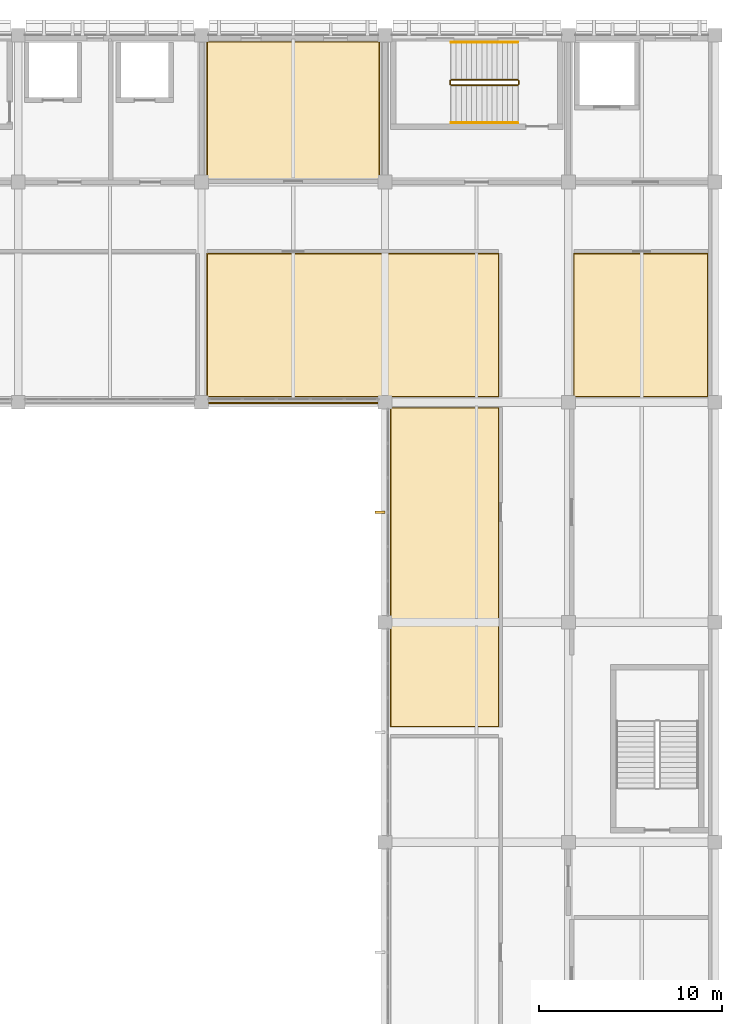
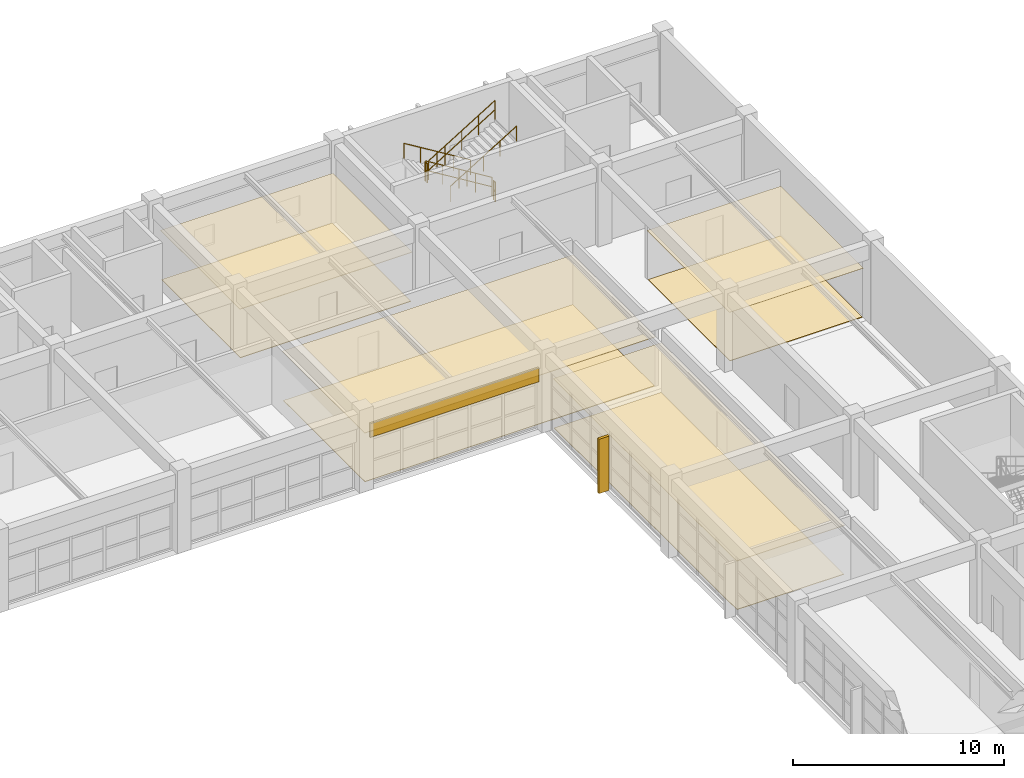
# One storey, part 108 of 109: 9 coverings, 6 railings, 1 shading device.
"""IFC4 building model written with IfcOpenShell, lengths in metres."""

from ifc_helpers import new_model, si_unit, direction, frame, frame_2d, origin, origin_2d, place, context, subcontext, project, spatial, polyline, rectangle, circle, outline, extrude, material, layer, layer_set, type_object, element, save


model = new_model("IFC4")

# Units and contexts
model_context = context("Model", 3, precision=1e-05, world=origin(), true_north=direction((0.0, 1.0)))
body_context = subcontext(model_context, "Body", "Model", "MODEL_VIEW")
ifc_project = project(units=[si_unit("LENGTHUNIT", "METRE"), si_unit("AREAUNIT", "SQUARE_METRE"), si_unit("VOLUMEUNIT", "CUBIC_METRE"), si_unit("PLANEANGLEUNIT", "RADIAN"), si_unit("MASSUNIT", "GRAM", prefix="KILO")], contexts=[model_context])

# Site, building, storey
site_placement = place(None, origin())
site = spatial("IfcSite", under=ifc_project, at=site_placement, CompositionType="ELEMENT")
building_placement = place(site_placement, origin())
building = spatial("IfcBuilding", under=site, at=building_placement, Name="Kivolera Central Railway Station", CompositionType="ELEMENT")
storey_placement = place(building_placement, frame((0.0, 0.0, 9.60009765625)))
storey = spatial("IfcBuildingStorey", under=building, at=storey_placement, Name="L02", CompositionType="ELEMENT", Elevation=9.60009765625)

# Shading device
ifc_material_1 = material(Name="Precast concrete C40/50", Category="concrete")
shading_device_type = type_object("IfcShadingDeviceType", Name="BS-FIN-CRT", PredefinedType="USERDEFINED", material=ifc_material_1)
shading_device_placement = place(storey_placement, frame((177.735107421875, 108.0, 0.0), z_axis=(0.0, 0.0, 1.0), x_axis=(1.0, 0.0, 0.0)))
element("IfcShadingDevice", 1, at=shading_device_placement, inside=storey, type_object=shading_device_type, Name="L02 Courtyard East Solar Brise-Soleil Fin J", ObjectType="FIN", PredefinedType="USERDEFINED", context=body_context, shape_type="SweptSolid", body=[
    extrude(rectangle(XDim=0.550048828125, YDim=0.139892578125, at=origin_2d()), origin(), (0.0, 0.0, 1.0), 3.14990234375),
])

# Coverings
ifc_material_2 = material(Name="Mineral fibre acoustic tile")
ifc_layer_1 = layer(ifc_material_2, 0.02001953125, Name="Mineral fibre acoustic tile")
ifc_layer_set_1 = layer_set([ifc_layer_1], Name="Mineral fibre acoustic tile")
covering_type_1 = type_object("IfcCoveringType", Name="COV-CEIL-20", PredefinedType="CEILING", material=ifc_layer_set_1)
covering_1_placement = place(storey_placement, frame((0.0, 0.0, 2.849853515625)))
element("IfcCovering", 2, at=covering_1_placement, inside=storey, type_object=covering_type_1, Name="L02 Catering Provisioning Office Acoustic Ceiling", PredefinedType="CEILING", context=body_context, shape_type="SweptSolid", body=[
    extrude(outline(polyline([(188.280029296875, 114.280029296875), (195.6201171875, 114.280029296875), (195.6201171875, 122.1201171875), (188.280029296875, 122.1201171875), (188.280029296875, 114.280029296875)])), origin(), (0.0, 0.0, 1.0), 0.02001953125),
])
ifc_layer_2 = layer(ifc_material_2, 0.030029296875, Name="Mineral fibre acoustic tile")
ifc_layer_set_2 = layer_set([ifc_layer_2], Name="Mineral fibre acoustic tile")
covering_type_2 = type_object("IfcCoveringType", Name="COV-CEIL-30", PredefinedType="CEILING", material=ifc_layer_set_2)
covering_2_placement = place(storey_placement, frame((0.0, 0.0, 2.849853515625)))
element("IfcCovering", 3, at=covering_2_placement, inside=storey, type_object=covering_type_2, Name="L02 Station Duty Manager Control Office Acoustic Ceiling", PredefinedType="CEILING", context=body_context, shape_type="SweptSolid", body=[
    extrude(outline(polyline([(168.280029296875, 126.1298828125), (177.719970703125, 126.1298828125), (177.719970703125, 133.669921875), (168.280029296875, 133.669921875), (168.280029296875, 126.1298828125)])), origin(), (0.0, 0.0, 1.0), 0.030029296875),
])
covering_3_placement = place(storey_placement, frame((0.0, 0.0, 2.849853515625)))
element("IfcCovering", 4, at=covering_3_placement, inside=storey, type_object=covering_type_2, Name="L02 Dar Roastery Espresso Cafe Acoustic Ceiling", PredefinedType="CEILING", context=body_context, shape_type="SweptSolid", body=[
    extrude(outline(polyline([(168.280029296875, 114.280029296875), (184.219970703125, 114.280029296875), (184.219970703125, 122.1201171875), (168.280029296875, 122.1201171875), (168.280029296875, 114.280029296875)])), origin(), (0.0, 0.0, 1.0), 0.030029296875),
])
covering_4_placement = place(storey_placement, frame((0.0, 0.0, 2.849853515625)))
element("IfcCovering", 5, at=covering_4_placement, inside=storey, type_object=covering_type_2, Name="L02 Travellers' Periodical Lounge Acoustic Ceiling", PredefinedType="CEILING", context=body_context, shape_type="SweptSolid", body=[
    extrude(outline(polyline([(178.280029296875, 96.280029296875), (184.219970703125, 96.280029296875), (184.219970703125, 113.719970703125), (178.280029296875, 113.719970703125), (178.280029296875, 96.280029296875)])), origin(), (0.0, 0.0, 1.0), 0.030029296875),
])
ifc_layer_3 = layer(ifc_material_1, 0.090087890625, Name="Precast concrete C40/50")
ifc_layer_set_3 = layer_set([ifc_layer_3], Name="Precast concrete C40/50")
covering_type_3 = type_object("IfcCoveringType", Name="COV-CLAUSTRA-90", PredefinedType="CLADDING", material=ifc_layer_set_3)
covering_5_placement = place(storey_placement, frame((177.6298828125, 113.9599609375, 2.807861328125), z_axis=(0.0, 0.0, 1.0), x_axis=(-1.0, 0.0, 0.0)))
element("IfcCovering", 6, at=covering_5_placement, inside=storey, type_object=covering_type_3, Name="L02 Monsoon Court Precast Claustra Screen 168", PredefinedType="CLADDING", context=body_context, shape_type="SweptSolid", body=[
    extrude(rectangle(XDim=9.259765625, YDim=0.090087890625, at=frame_2d((4.6298828125, 0.0))), origin(), (0.0, 0.0, 1.0), 0.800048828125),
])
ifc_material_3 = material(Name="Swahili coral limestone", Category="masonry")
ifc_layer_4 = layer(ifc_material_3, 0.030029296875, Name="Swahili coral limestone")
ifc_layer_set_4 = layer_set([ifc_layer_4], Name="Swahili coral limestone")
covering_type_4 = type_object("IfcCoveringType", Name="COV-FLR-30", PredefinedType="FLOORING", material=ifc_layer_set_4)
covering_6_placement = place(storey_placement, origin())
element("IfcCovering", 7, at=covering_6_placement, inside=storey, type_object=covering_type_4, Name="L02 Station Duty Manager Control Office Floor Finish", PredefinedType="FLOORING", context=body_context, shape_type="SweptSolid", body=[
    extrude(outline(polyline([(168.320068359375, 126.169921875), (177.679931640625, 126.169921875), (177.679931640625, 133.6298828125), (168.320068359375, 133.6298828125), (168.320068359375, 126.169921875)])), origin(), (0.0, 0.0, 1.0), 0.02978515625),
])
covering_7_placement = place(storey_placement, origin())
element("IfcCovering", 8, at=covering_7_placement, inside=storey, type_object=covering_type_4, Name="L02 Dar Roastery Espresso Cafe Floor Finish", PredefinedType="FLOORING", context=body_context, shape_type="SweptSolid", body=[
    extrude(outline(polyline([(168.320068359375, 114.320068359375), (184.179931640625, 114.320068359375), (184.179931640625, 122.080078125), (168.320068359375, 122.080078125), (168.320068359375, 114.320068359375)])), origin(), (0.0, 0.0, 1.0), 0.02978515625),
])
covering_8_placement = place(storey_placement, origin())
element("IfcCovering", 9, at=covering_8_placement, inside=storey, type_object=covering_type_4, Name="L02 Catering Provisioning Office Floor Finish", PredefinedType="FLOORING", context=body_context, shape_type="SweptSolid", body=[
    extrude(outline(polyline([(188.320068359375, 114.320068359375), (195.580078125, 114.320068359375), (195.580078125, 122.080078125), (188.320068359375, 122.080078125), (188.320068359375, 114.320068359375)])), origin(), (0.0, 0.0, 1.0), 0.02978515625),
])
covering_9_placement = place(storey_placement, origin())
element("IfcCovering", 10, at=covering_9_placement, inside=storey, type_object=covering_type_4, Name="L02 Travellers' Periodical Lounge Floor Finish", PredefinedType="FLOORING", context=body_context, shape_type="SweptSolid", body=[
    extrude(outline(polyline([(178.320068359375, 96.320068359375), (184.179931640625, 96.320068359375), (184.179931640625, 113.679931640625), (178.320068359375, 113.679931640625), (178.320068359375, 96.320068359375)])), origin(), (0.0, 0.0, 1.0), 0.02978515625),
])

# Railings
ifc_material_4 = material(Name="Anodised aluminium", Category="aluminium")
ifc_layer_5 = layer(ifc_material_4, 0.048095703125, Name="Anodised aluminium")
ifc_layer_set_5 = layer_set([ifc_layer_5], Name="Anodised aluminium")
railing_type_1 = type_object("IfcRailingType", Name="RL-STAIR-GUARD", PredefinedType="GUARDRAIL", material=ifc_layer_set_5)
railing_1_placement = place(storey_placement, frame((185.239990234375, 131.570068359375, 0.17138671875)))
element("IfcRailing", 11, at=railing_1_placement, inside=storey, type_object=railing_type_1, Name="L02 ST3 stair guard 1", PredefinedType="GUARDRAIL", context=body_context, shape_type="SweptSolid", body=[
    extrude(circle(Radius=0.02392578125, at=origin_2d()), frame((0.0, 0.0, 1.10595703125), z_axis=(-0.852850264322, 0.0, 0.5221555579), x_axis=(0.0, -1.0, 0.0)), (0.0, 0.0, 1.0), 4.267822265625),
    extrude(circle(Radius=0.02392578125, at=origin_2d()), frame((0.0, 0.0, 0.56494140625), z_axis=(-0.852850264322, 0.0, 0.5221555579), x_axis=(0.0, -1.0, 0.0)), (0.0, 0.0, 1.0), 4.267822265625),
    extrude(circle(Radius=0.02099609375, at=origin_2d()), origin(), (0.0, 0.0, 1.0), 1.081787109375),
    extrude(circle(Radius=0.02099609375, at=origin_2d()), frame((-0.909912109375, 0.0, 0.55712890625)), (0.0, 0.0, 1.0), 1.081787109375),
    extrude(circle(Radius=0.02099609375, at=origin_2d()), frame((-1.81982421875, 0.0, 1.1142578125)), (0.0, 0.0, 1.0), 1.081787109375),
    extrude(circle(Radius=0.02099609375, at=origin_2d()), frame((-2.72998046875, 0.0, 1.67138671875)), (0.0, 0.0, 1.0), 1.081787109375),
    extrude(circle(Radius=0.02099609375, at=origin_2d()), frame((-3.639892578125, 0.0, 2.228515625)), (0.0, 0.0, 1.0), 1.081787109375),
])
railing_2_placement = place(storey_placement, frame((181.550048828125, 131.52001953125, 2.39990234375)))
element("IfcRailing", 12, at=railing_2_placement, inside=storey, type_object=railing_type_1, Name="L02 ST3 stair guard 2", PredefinedType="GUARDRAIL", context=body_context, shape_type="SweptSolid", body=[
    extrude(circle(Radius=0.02392578125, at=origin_2d()), frame((0.0, 0.0, 1.10595703125), z_axis=(0.0, -1.0, 0.0), x_axis=(1.0, 0.0, 0.0)), (0.0, 0.0, 1.0), 0.179931640625),
    extrude(circle(Radius=0.02392578125, at=origin_2d()), frame((0.0, 0.0, 0.56494140625), z_axis=(0.0, -1.0, 0.0), x_axis=(1.0, 0.0, 0.0)), (0.0, 0.0, 1.0), 0.179931640625),
    extrude(circle(Radius=0.02099609375, at=origin_2d()), origin(), (0.0, 0.0, 1.0), 1.081787109375),
    extrude(circle(Radius=0.02099609375, at=origin_2d()), frame((0.0, -0.179931640625, 0.0)), (0.0, 0.0, 1.0), 1.081787109375),
])
railing_3_placement = place(storey_placement, frame((181.60009765625, 131.2900390625, 2.5712890625)))
element("IfcRailing", 13, at=railing_3_placement, inside=storey, type_object=railing_type_1, Name="L02 ST3 stair guard 3", PredefinedType="GUARDRAIL", context=body_context, shape_type="SweptSolid", body=[
    extrude(circle(Radius=0.02392578125, at=origin_2d()), frame((0.0, 0.0, 1.10595703125), z_axis=(0.852850264322, 0.0, 0.5221555579), x_axis=(0.0, 1.0, 0.0)), (0.0, 0.0, 1.0), 4.267822265625),
    extrude(circle(Radius=0.02392578125, at=origin_2d()), frame((0.0, 0.0, 0.56494140625), z_axis=(0.852850264322, 0.0, 0.5221555579), x_axis=(0.0, 1.0, 0.0)), (0.0, 0.0, 1.0), 4.267822265625),
    extrude(circle(Radius=0.02099609375, at=origin_2d()), origin(), (0.0, 0.0, 1.0), 1.081787109375),
    extrude(circle(Radius=0.02099609375, at=origin_2d()), frame((0.909912109375, 0.0, 0.55712890625)), (0.0, 0.0, 1.0), 1.081787109375),
    extrude(circle(Radius=0.02099609375, at=origin_2d()), frame((1.81982421875, 0.0, 1.1142578125)), (0.0, 0.0, 1.0), 1.081787109375),
    extrude(circle(Radius=0.02099609375, at=origin_2d()), frame((2.72998046875, 0.0, 1.67138671875)), (0.0, 0.0, 1.0), 1.081787109375),
    extrude(circle(Radius=0.02099609375, at=origin_2d()), frame((3.639892578125, 0.0, 2.228515625)), (0.0, 0.0, 1.0), 1.081787109375),
])
railing_4_placement = place(storey_placement, frame((185.2900390625, 131.52001953125, 0.0)))
element("IfcRailing", 14, at=railing_4_placement, inside=storey, type_object=railing_type_1, Name="L02 ST3 stair guard 4", PredefinedType="GUARDRAIL", context=body_context, shape_type="SweptSolid", body=[
    extrude(circle(Radius=0.02392578125, at=origin_2d()), frame((0.0, 0.0, 1.10595703125), z_axis=(0.0, -1.0, 0.0), x_axis=(1.0, 0.0, 0.0)), (0.0, 0.0, 1.0), 0.179931640625),
    extrude(circle(Radius=0.02392578125, at=origin_2d()), frame((0.0, 0.0, 0.56494140625), z_axis=(0.0, -1.0, 0.0), x_axis=(1.0, 0.0, 0.0)), (0.0, 0.0, 1.0), 0.179931640625),
    extrude(circle(Radius=0.02099609375, at=origin_2d()), origin(), (0.0, 0.0, 1.0), 1.081787109375),
    extrude(circle(Radius=0.02099609375, at=origin_2d()), frame((0.0, -0.179931640625, 0.0)), (0.0, 0.0, 1.0), 1.081787109375),
])
ifc_layer_6 = layer(ifc_material_4, 0.048095703125, Name="Anodised aluminium")
ifc_layer_set_6 = layer_set([ifc_layer_6], Name="Anodised aluminium")
railing_type_2 = type_object("IfcRailingType", Name="RL-STAIR-HAND", PredefinedType="HANDRAIL", material=ifc_layer_set_6)
railing_5_placement = place(storey_placement, frame((185.239990234375, 133.6298828125, 0.17138671875)))
element("IfcRailing", 15, at=railing_5_placement, inside=storey, type_object=railing_type_2, Name="L02 ST3 stair handrail 1", PredefinedType="HANDRAIL", context=body_context, shape_type="SweptSolid", body=[
    extrude(circle(Radius=0.02392578125, at=origin_2d()), frame((0.0, 0.0, 0.8759765625), z_axis=(-0.852850264322, 0.0, 0.5221555579), x_axis=(0.0, -1.0, 0.0)), (0.0, 0.0, 1.0), 4.267822265625),
    extrude(circle(Radius=0.02099609375, at=origin_2d()), origin(), (0.0, 0.0, 1.0), 0.851806640625),
    extrude(circle(Radius=0.02099609375, at=origin_2d()), frame((-0.909912109375, 0.0, 0.55712890625)), (0.0, 0.0, 1.0), 0.851806640625),
    extrude(circle(Radius=0.02099609375, at=origin_2d()), frame((-1.81982421875, 0.0, 1.1142578125)), (0.0, 0.0, 1.0), 0.851806640625),
    extrude(circle(Radius=0.02099609375, at=origin_2d()), frame((-2.72998046875, 0.0, 1.67138671875)), (0.0, 0.0, 1.0), 0.851806640625),
    extrude(circle(Radius=0.02099609375, at=origin_2d()), frame((-3.639892578125, 0.0, 2.228515625)), (0.0, 0.0, 1.0), 0.851806640625),
])
railing_6_placement = place(storey_placement, frame((181.60009765625, 129.22998046875, 2.5712890625)))
element("IfcRailing", 16, at=railing_6_placement, inside=storey, type_object=railing_type_2, Name="L02 ST3 stair handrail 2", PredefinedType="HANDRAIL", context=body_context, shape_type="SweptSolid", body=[
    extrude(circle(Radius=0.02392578125, at=origin_2d()), frame((0.0, 0.0, 0.8759765625), z_axis=(0.852850264322, 0.0, 0.5221555579), x_axis=(0.0, 1.0, 0.0)), (0.0, 0.0, 1.0), 4.267822265625),
    extrude(circle(Radius=0.02099609375, at=origin_2d()), origin(), (0.0, 0.0, 1.0), 0.851806640625),
    extrude(circle(Radius=0.02099609375, at=origin_2d()), frame((0.909912109375, 0.0, 0.55712890625)), (0.0, 0.0, 1.0), 0.851806640625),
    extrude(circle(Radius=0.02099609375, at=origin_2d()), frame((1.81982421875, 0.0, 1.1142578125)), (0.0, 0.0, 1.0), 0.851806640625),
    extrude(circle(Radius=0.02099609375, at=origin_2d()), frame((2.72998046875, 0.0, 1.67138671875)), (0.0, 0.0, 1.0), 0.851806640625),
    extrude(circle(Radius=0.02099609375, at=origin_2d()), frame((3.639892578125, 0.0, 2.228515625)), (0.0, 0.0, 1.0), 0.851806640625),
])

save(model, "model.ifc")
